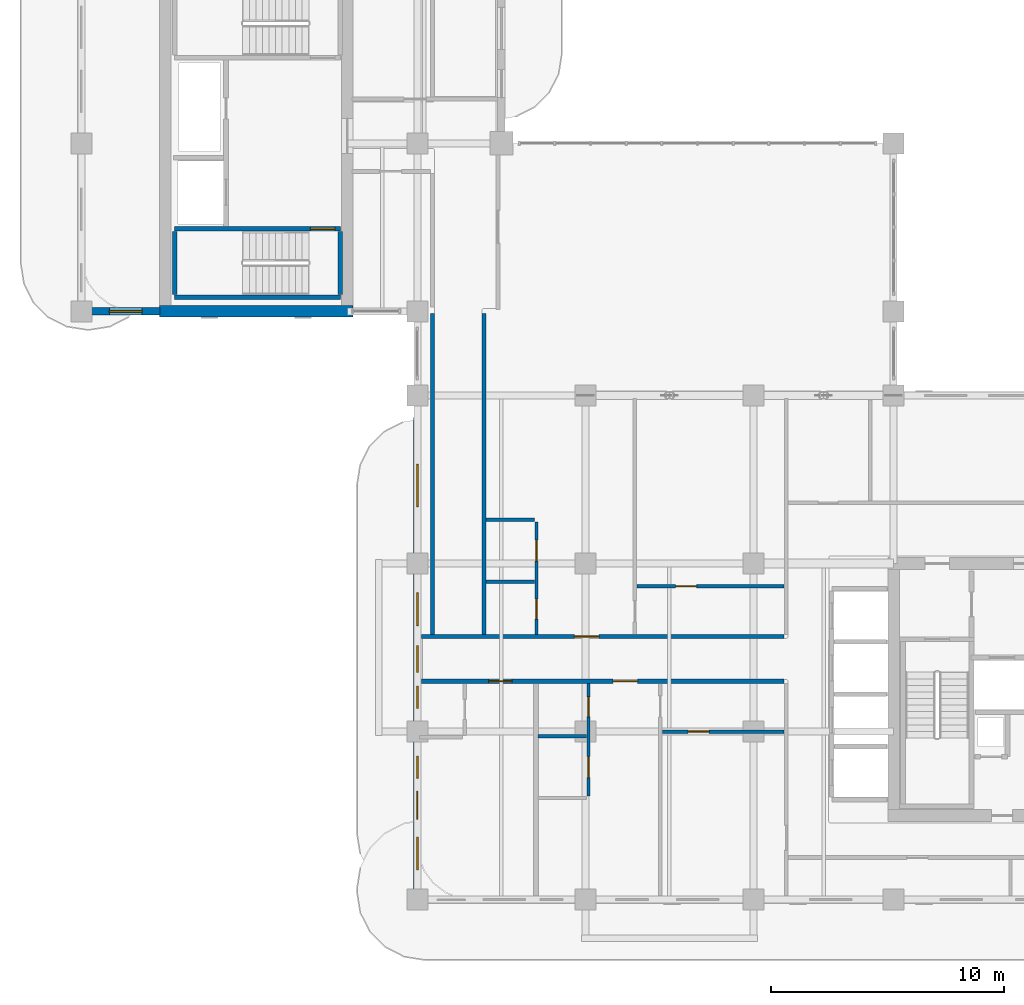
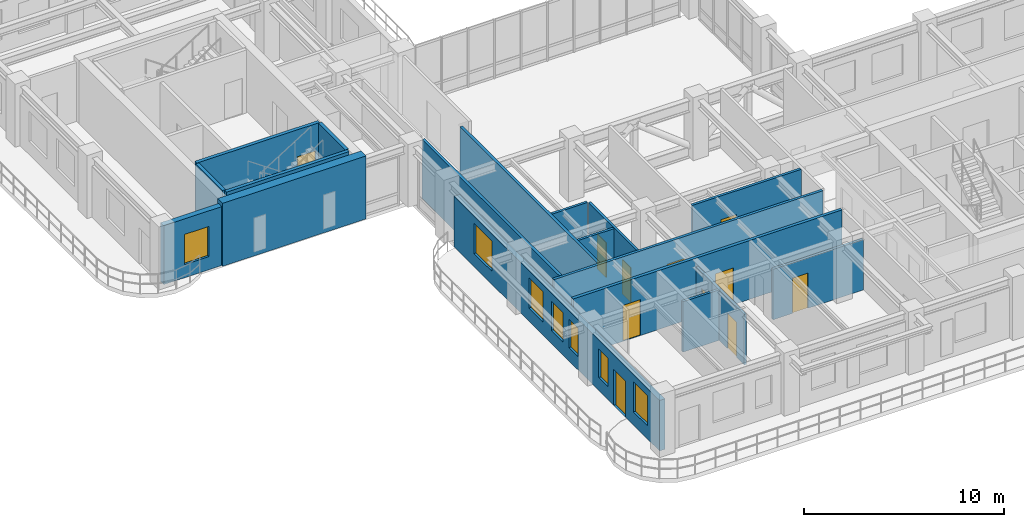
# One storey, part 10 of 19: 18 walls, 11 doors, 7 windows, 18 openings.
"""IFC4 building model written with IfcOpenShell, lengths in metres."""

from ifc_helpers import new_model, si_unit, derived_unit, direction, frame, frame_2d, origin, place, context, subcontext, project, spatial, rectangle, extrude, source, transform, mapped, material, layer, layer_set, type_object, type_shapes, element, fill, save


model = new_model("IFC4")

# Units and contexts
model_context = context("Model", 3, precision=1e-05, world=origin(), true_north=direction((0.0, 1.0)))
body_context = subcontext(model_context, "Body", "Model", "MODEL_VIEW")
ifc_project = project(units=[si_unit("LENGTHUNIT", "METRE"), si_unit("AREAUNIT", "SQUARE_METRE"), si_unit("VOLUMEUNIT", "CUBIC_METRE"), si_unit("PLANEANGLEUNIT", "RADIAN"), si_unit("MASSUNIT", "GRAM", prefix="KILO"), si_unit("THERMODYNAMICTEMPERATUREUNIT", "KELVIN"), si_unit("POWERUNIT", "WATT"), derived_unit("THERMALTRANSMITTANCEUNIT", [(si_unit("POWERUNIT", "WATT"), 1), (si_unit("AREAUNIT", "SQUARE_METRE"), -1), (si_unit("THERMODYNAMICTEMPERATUREUNIT", "KELVIN"), -1)])], contexts=[model_context])

# Site, building, storey
site_placement = place(None, origin())
site = spatial("IfcSite", under=ifc_project, at=site_placement, CompositionType="ELEMENT")
building_placement = place(site_placement, origin())
building = spatial("IfcBuilding", under=site, at=building_placement, Name="Zahravan Archway Hotel and Residences", CompositionType="ELEMENT")
storey_placement = place(building_placement, frame((0.0, 0.0, 201.89990234375)))
storey = spatial("IfcBuildingStorey", under=building, at=storey_placement, Name="L50", CompositionType="ELEMENT", Elevation=201.89990234375)

# Wall
ifc_material_1 = material(Name="Concrete C60/75", Category="concrete")
ifc_layer_1 = layer(ifc_material_1, 0.5, Name="Concrete C60/75", Category="concrete")
ifc_layer_set_1 = layer_set([ifc_layer_1], Name="Concrete C60/75")
wall_type_1 = type_object("IfcWallType", Name="CW-CORE-500", PredefinedType="SHEAR", material=ifc_layer_set_1)
wall_1_placement = place(storey_placement, frame((3.35009765625, 25.199951171875, 0.0), z_axis=(0.0, 0.0, 1.0), x_axis=(1.0, 0.0, 0.0)))
element("IfcWall", 1, at=wall_1_placement, inside=storey, type_object=wall_type_1, Name="L50 Core B Shear S Wall 500 mm", PredefinedType="SHEAR", context=body_context, shape_type="SweptSolid", body=[
    extrude(rectangle(XDim=8.2998046875, YDim=0.5, at=frame_2d((4.14990234375, 0.0))), origin(), (0.0, 0.0, 1.0), 3.85009765625),
])

# Wall, openings, door, windows
ifc_material_2 = material(Name="Agra Buff Sandstone & Insulated Backup", Category="masonry")
ifc_layer_2 = layer(ifc_material_2, 0.320068359375, Name="Agra Buff Sandstone & Insulated Backup", Category="masonry")
ifc_layer_set_2 = layer_set([ifc_layer_2], Name="Agra Buff Sandstone & Insulated Backup")
wall_type_2 = type_object("IfcWallType", Name="EW-SAND-320", PredefinedType="SOLIDWALL", material=ifc_layer_set_2)
wall_2_placement = place(storey_placement, frame((14.39990234375, 0.050048828125, 0.0), z_axis=(0.0, 0.0, 1.0), x_axis=(0.0, 1.0, 0.0)))
wall_2 = element("IfcWall", 2, at=wall_2_placement, inside=storey, type_object=wall_type_2, Name="L50 Exterior Sandstone Wall WA-WL", PredefinedType="SOLIDWALL", context=body_context, shape_type="SweptSolid", body=[
    extrude(rectangle(XDim=20.599853515625, YDim=0.320068359375, at=frame_2d((10.2998046875, 0.0))), origin(), (0.0, 0.0, 1.0), 3.085205078125),
])
opening_1_placement = place(wall_2_placement, frame((3.39990234375, 0.0, 0.0)))
opening_1 = element("IfcOpeningElement", 3, at=opening_1_placement, cuts=wall_2, Name="Opening ED-BL1", PredefinedType="OPENING", context=body_context, shape_type="SweptSolid", body=[
    extrude(rectangle(XDim=1.199951171875, YDim=2.199951171875, at=frame_2d((0.60009765625, 1.10009765625))), frame((0.0, 0.169921875, 0.0), z_axis=(0.0, -1.0, 0.0), x_axis=(1.0, 0.0, 0.0)), (0.0, 0.0, 1.0), 0.340087890625),
])
opening_2_placement = place(wall_2_placement, frame((1.22509765625, 0.0, 0.800048828125)))
opening_2 = element("IfcOpeningElement", 4, at=opening_2_placement, cuts=wall_2, Name="Opening W-03", PredefinedType="OPENING", context=body_context, shape_type="SweptSolid", body=[
    extrude(rectangle(XDim=1.39990234375, YDim=1.85009765625, at=frame_2d((0.699951171875, 0.925048828125))), frame((0.0, 0.169921875, 0.0), z_axis=(0.0, -1.0, 0.0), x_axis=(1.0, 0.0, 0.0)), (0.0, 0.0, 1.0), 0.340087890625),
])
opening_3_placement = place(wall_2_placement, frame((5.14990234375, 0.0, 0.800048828125)))
opening_3 = element("IfcOpeningElement", 5, at=opening_3_placement, cuts=wall_2, Name="Opening W-04", PredefinedType="OPENING", context=body_context, shape_type="SweptSolid", body=[
    extrude(rectangle(XDim=0.949951171875, YDim=1.75, at=frame_2d((0.47509765625, 0.875))), frame((0.0, 0.169921875, 0.0), z_axis=(0.0, -1.0, 0.0), x_axis=(1.0, 0.0, 0.0)), (0.0, 0.0, 1.0), 0.340087890625),
])
opening_4_placement = place(wall_2_placement, frame((8.14599609375, 0.0, 0.800048828125)))
opening_4 = element("IfcOpeningElement", 6, at=opening_4_placement, cuts=wall_2, Name="Opening W-04", PredefinedType="OPENING", context=body_context, shape_type="SweptSolid", body=[
    extrude(rectangle(XDim=0.949951171875, YDim=1.75, at=frame_2d((0.47509765625, 0.875))), frame((0.0, 0.169921875, 0.0), z_axis=(0.0, -1.0, 0.0), x_axis=(1.0, 0.0, 0.0)), (0.0, 0.0, 1.0), 0.340087890625),
])
opening_5_placement = place(wall_2_placement, frame((9.68505859375, 0.0, 0.800048828125)))
opening_5 = element("IfcOpeningElement", 7, at=opening_5_placement, cuts=wall_2, Name="Opening W-05", PredefinedType="OPENING", context=body_context, shape_type="SweptSolid", body=[
    extrude(rectangle(XDim=1.14990234375, YDim=1.800048828125, at=frame_2d((0.574951171875, 0.89990234375))), frame((0.0, 0.169921875, 0.0), z_axis=(0.0, -1.0, 0.0), x_axis=(1.0, 0.0, 0.0)), (0.0, 0.0, 1.0), 0.340087890625),
])
opening_6_placement = place(wall_2_placement, frame((11.68896484375, 0.0, 0.800048828125)))
opening_6 = element("IfcOpeningElement", 8, at=opening_6_placement, cuts=wall_2, Name="Opening W-03", PredefinedType="OPENING", context=body_context, shape_type="SweptSolid", body=[
    extrude(rectangle(XDim=1.39990234375, YDim=1.85009765625, at=frame_2d((0.699951171875, 0.925048828125))), frame((0.0, 0.169921875, 0.0), z_axis=(0.0, -1.0, 0.0), x_axis=(1.0, 0.0, 0.0)), (0.0, 0.0, 1.0), 0.340087890625),
])
opening_7_placement = place(wall_2_placement, frame((16.7900390625, 0.0, 0.800048828125)))
opening_7 = element("IfcOpeningElement", 9, at=opening_7_placement, cuts=wall_2, Name="Opening W-02", PredefinedType="OPENING", context=body_context, shape_type="SweptSolid", body=[
    extrude(rectangle(XDim=1.800048828125, YDim=1.85009765625, at=frame_2d((0.89990234375, 0.925048828125))), frame((0.0, 0.169921875, 0.0), z_axis=(0.0, -1.0, 0.0), x_axis=(1.0, 0.0, 0.0)), (0.0, 0.0, 1.0), 0.340087890625),
])
ifc_material_3 = material(Name="Bronze-Anodized Glazed Aluminium", Category="aluminium")
door_type_1 = type_object("IfcDoorType", Name="ED-BALC-1200", OperationType="SLIDING_TO_LEFT", PredefinedType="DOOR", material=ifc_material_3)
shared_shape_1 = source(origin(), body_context, "Body", "SweptSolid", [
    extrude(rectangle(XDim=1.199951171875, YDim=2.199951171875, at=frame_2d((0.60009765625, 1.10009765625))), frame((0.0, 0.02490234375, 0.0), z_axis=(0.0, -1.0, 0.0), x_axis=(1.0, 0.0, 0.0)), (0.0, 0.0, 1.0), 0.050048828125),
])
type_shapes(door_type_1, [shared_shape_1])
door_1_placement = place(opening_1_placement, origin())
door_1 = element("IfcDoor", 10, at=door_1_placement, inside=storey, type_object=door_type_1, Name="L50 Outdoor Access Sliding Door (SLB-BAL-L50-WA)", OperationType="SLIDING_TO_LEFT", OverallHeight=2.199951171875, OverallWidth=1.199951171875, PredefinedType="DOOR", context=body_context, shape_type="MappedRepresentation", body=[
    mapped(shared_shape_1, transform((0.0, 0.0, 0.0), scale=1.0)),
])
fill(opening_1, door_1)
ifc_material_4 = material(Name="Bronze-Anodized Thermal-Break Aluminium & Low-E Glass", Category="aluminium")
window_type_1 = type_object("IfcWindowType", Name="WIN-TWR-1400", PartitioningType="SINGLE_PANEL", PredefinedType="WINDOW", material=ifc_material_4)
shared_shape_2 = source(origin(), body_context, "Body", "SweptSolid", [
    extrude(rectangle(XDim=1.39990234375, YDim=1.85009765625, at=frame_2d((0.699951171875, 0.925048828125))), frame((0.0, 0.030029296875, 0.0), z_axis=(0.0, -1.0, 0.0), x_axis=(1.0, 0.0, 0.0)), (0.0, 0.0, 1.0), 0.06005859375),
])
type_shapes(window_type_1, [shared_shape_2])
window_1_placement = place(opening_2_placement, origin())
window_1 = element("IfcWindow", 11, at=window_1_placement, inside=storey, type_object=window_type_1, Name="L50 Loggia Window 15", OverallHeight=1.85009765625, OverallWidth=1.39990234375, PartitioningType="SINGLE_PANEL", PredefinedType="WINDOW", context=body_context, shape_type="MappedRepresentation", body=[
    mapped(shared_shape_2, transform((0.0, 0.0, 0.0), scale=1.0)),
])
fill(opening_2, window_1)
window_2_placement = place(opening_6_placement, origin())
window_2 = element("IfcWindow", 12, at=window_2_placement, inside=storey, type_object=window_type_1, Name="L50 Loggia Window 19", OverallHeight=1.85009765625, OverallWidth=1.39990234375, PartitioningType="SINGLE_PANEL", PredefinedType="WINDOW", context=body_context, shape_type="MappedRepresentation", body=[
    mapped(shared_shape_2, transform((0.0, 0.0, 0.0), scale=1.0)),
])
fill(opening_6, window_2)
window_type_2 = type_object("IfcWindowType", Name="WIN-NAR-950", PartitioningType="SINGLE_PANEL", PredefinedType="WINDOW", material=ifc_material_4)
shared_shape_3 = source(origin(), body_context, "Body", "SweptSolid", [
    extrude(rectangle(XDim=0.949951171875, YDim=1.75, at=frame_2d((0.47509765625, 0.875))), frame((0.0, 0.030029296875, 0.0), z_axis=(0.0, -1.0, 0.0), x_axis=(1.0, 0.0, 0.0)), (0.0, 0.0, 1.0), 0.06005859375),
])
type_shapes(window_type_2, [shared_shape_3])
window_3_placement = place(opening_3_placement, origin())
window_3 = element("IfcWindow", 13, at=window_3_placement, inside=storey, type_object=window_type_2, Name="L50 Loggia Window 16", OverallHeight=1.75, OverallWidth=0.949951171875, PartitioningType="SINGLE_PANEL", PredefinedType="WINDOW", context=body_context, shape_type="MappedRepresentation", body=[
    mapped(shared_shape_3, transform((0.0, 0.0, 0.0), scale=1.0)),
])
fill(opening_3, window_3)
window_4_placement = place(opening_4_placement, origin())
window_4 = element("IfcWindow", 14, at=window_4_placement, inside=storey, type_object=window_type_2, Name="L50 Loggia Window 17", OverallHeight=1.75, OverallWidth=0.949951171875, PartitioningType="SINGLE_PANEL", PredefinedType="WINDOW", context=body_context, shape_type="MappedRepresentation", body=[
    mapped(shared_shape_3, transform((0.0, 0.0, 0.0), scale=1.0)),
])
fill(opening_4, window_4)
window_type_3 = type_object("IfcWindowType", Name="WIN-TWR-1800", PartitioningType="DOUBLE_PANEL_VERTICAL", PredefinedType="WINDOW", material=ifc_material_4)
shared_shape_4 = source(origin(), body_context, "Body", "SweptSolid", [
    extrude(rectangle(XDim=1.800048828125, YDim=1.85009765625, at=frame_2d((0.89990234375, 0.925048828125))), frame((0.0, 0.030029296875, 0.0), z_axis=(0.0, -1.0, 0.0), x_axis=(1.0, 0.0, 0.0)), (0.0, 0.0, 1.0), 0.06005859375),
])
type_shapes(window_type_3, [shared_shape_4])
window_5_placement = place(opening_7_placement, origin())
window_5 = element("IfcWindow", 15, at=window_5_placement, inside=storey, type_object=window_type_3, Name="L50 Loggia Window 20", OverallHeight=1.85009765625, OverallWidth=1.800048828125, PartitioningType="DOUBLE_PANEL_VERTICAL", PredefinedType="WINDOW", context=body_context, shape_type="MappedRepresentation", body=[
    mapped(shared_shape_4, transform((0.0, 0.0, 0.0), scale=1.0)),
])
fill(opening_7, window_5)
window_type_4 = type_object("IfcWindowType", Name="WIN-TWR-1150", PartitioningType="SINGLE_PANEL", PredefinedType="WINDOW", material=ifc_material_4)
shared_shape_5 = source(origin(), body_context, "Body", "SweptSolid", [
    extrude(rectangle(XDim=1.14990234375, YDim=1.800048828125, at=frame_2d((0.574951171875, 0.89990234375))), frame((0.0, 0.030029296875, 0.0), z_axis=(0.0, -1.0, 0.0), x_axis=(1.0, 0.0, 0.0)), (0.0, 0.0, 1.0), 0.06005859375),
])
type_shapes(window_type_4, [shared_shape_5])
window_6_placement = place(opening_5_placement, origin())
window_6 = element("IfcWindow", 16, at=window_6_placement, inside=storey, type_object=window_type_4, Name="L50 Loggia Window 18", OverallHeight=1.800048828125, OverallWidth=1.14990234375, PartitioningType="SINGLE_PANEL", PredefinedType="WINDOW", context=body_context, shape_type="MappedRepresentation", body=[
    mapped(shared_shape_5, transform((0.0, 0.0, 0.0), scale=1.0)),
])
fill(opening_5, window_6)

# Wall, opening, window
wall_3_placement = place(storey_placement, frame((0.0, 25.199951171875, 0.0), z_axis=(0.0, 0.0, 1.0), x_axis=(1.0, 0.0, 0.0)))
wall_3 = element("IfcWall", 17, at=wall_3_placement, inside=storey, type_object=wall_type_2, Name="L50 Exterior Sandstone Wall WB-SW", PredefinedType="SOLIDWALL", context=body_context, shape_type="SweptSolid", body=[
    extrude(rectangle(XDim=3.3798828125, YDim=0.320068359375, at=frame_2d((1.68994140625, 0.0))), origin(), (0.0, 0.0, 1.0), 3.60009765625),
])
opening_8_placement = place(wall_3_placement, frame((1.205078125, 0.0, 0.800048828125)))
opening_8 = element("IfcOpeningElement", 18, at=opening_8_placement, cuts=wall_3, Name="Opening W-03", PredefinedType="OPENING", context=body_context, shape_type="SweptSolid", body=[
    extrude(rectangle(XDim=1.39990234375, YDim=1.85009765625, at=frame_2d((0.699951171875, 0.925048828125))), frame((0.0, 0.169921875, 0.0), z_axis=(0.0, -1.0, 0.0), x_axis=(1.0, 0.0, 0.0)), (0.0, 0.0, 1.0), 0.340087890625),
])
window_7_placement = place(opening_8_placement, origin())
window_7 = element("IfcWindow", 19, at=window_7_placement, inside=storey, type_object=window_type_1, Name="L50 Loggia Window 21", OverallHeight=1.85009765625, OverallWidth=1.39990234375, PartitioningType="SINGLE_PANEL", PredefinedType="WINDOW", context=body_context, shape_type="MappedRepresentation", body=[
    mapped(shared_shape_2, transform((0.0, 0.0, 0.0), scale=1.0)),
])
fill(opening_8, window_7)

# Wall, opening, door
ifc_material_5 = material(Name="Fire-Rated Gypsum & Concrete Block", Category="concrete")
ifc_layer_3 = layer(ifc_material_5, 0.159912109375, Name="Fire-Rated Gypsum & Concrete Block", Category="concrete")
ifc_layer_set_3 = layer_set([ifc_layer_3], Name="Fire-Rated Gypsum & Concrete Block")
wall_type_3 = type_object("IfcWallType", Name="PW-CORR-160", PredefinedType="PARTITIONING", material=ifc_layer_set_3)
wall_4_placement = place(storey_placement, frame((14.568115234375, 11.27001953125, 0.0), z_axis=(0.0, 0.0, 1.0), x_axis=(1.0, 0.0, 0.0)))
wall_4 = element("IfcWall", 20, at=wall_4_placement, inside=storey, type_object=wall_type_3, Name="L50 Partition WA-CN", PredefinedType="PARTITIONING", context=body_context, shape_type="SweptSolid", body=[
    extrude(rectangle(XDim=15.5419921875, YDim=0.159912109375, at=frame_2d((7.77099609375, 0.0))), origin(), (0.0, 0.0, 1.0), 3.60009765625),
])
opening_9_placement = place(wall_4_placement, frame((6.556884765625, 0.0, 0.0)))
opening_9 = element("IfcOpeningElement", 21, at=opening_9_placement, cuts=wall_4, Name="Opening D-U1", PredefinedType="OPENING", context=body_context, shape_type="SweptSolid", body=[
    extrude(rectangle(XDim=1.050048828125, YDim=2.25, at=frame_2d((0.52490234375, 1.125))), frame((0.0, 0.08984375, 0.0), z_axis=(0.0, -1.0, 0.0), x_axis=(1.0, 0.0, 0.0)), (0.0, 0.0, 1.0), 0.179931640625),
])
ifc_material_6 = material(Name="Hardwood Veneer Timber", Category="wood")
door_type_2 = type_object("IfcDoorType", Name="ID-UNIT-1050", OperationType="NOTDEFINED", PredefinedType="DOOR", material=ifc_material_6)
shared_shape_6 = source(origin(), body_context, "Body", "SweptSolid", [
    extrude(rectangle(XDim=1.050048828125, YDim=2.25, at=frame_2d((0.52490234375, 1.125))), frame((0.0, 0.02490234375, 0.0), z_axis=(0.0, -1.0, 0.0), x_axis=(1.0, 0.0, 0.0)), (0.0, 0.0, 1.0), 0.050048828125),
])
type_shapes(door_type_2, [shared_shape_6])
door_2_placement = place(opening_9_placement, origin())
door_2 = element("IfcDoor", 22, at=door_2_placement, inside=storey, type_object=door_type_2, Name="L50 Flat HN1 Entrance Door", OperationType="SINGLE_SWING_RIGHT", OverallHeight=2.25, OverallWidth=1.050048828125, PredefinedType="DOOR", context=body_context, shape_type="MappedRepresentation", body=[
    mapped(shared_shape_6, transform((0.0, 0.0, 0.0), scale=1.0)),
])
fill(opening_9, door_2)

# Walls
for number, where, z_axis, x_axis, name in (
    (23, (15.050048828125, 11.360107421875, 0.0), (0.0, 0.0, 1.0), (0.0, 1.0, 0.0), "L50 Partition LNK-W"),
    (24, (17.25, 11.360107421875, 0.0), (0.0, 0.0, 1.0), (0.0, 1.0, 0.0), "L50 Partition LNK-E"),
):
    element("IfcWall", number, at=place(storey_placement, frame(where, z_axis=z_axis, x_axis=x_axis)), inside=storey, type_object=wall_type_3, Name=name, PredefinedType="PARTITIONING", context=body_context, shape_type="SweptSolid", body=[
        extrude(rectangle(XDim=13.75, YDim=0.159912109375, at=frame_2d((6.875, 0.0))), origin(), (0.0, 0.0, 1.0), 3.60009765625),
    ])

# Wall, openings, doors
ifc_layer_4 = layer(ifc_material_5, 0.179931640625, Name="Fire-Rated Gypsum & Concrete Block", Category="concrete")
ifc_layer_set_4 = layer_set([ifc_layer_4], Name="Fire-Rated Gypsum & Concrete Block")
wall_type_4 = type_object("IfcWallType", Name="PW-CORR-180", PredefinedType="PARTITIONING", material=ifc_layer_set_4)
wall_5_placement = place(storey_placement, frame((14.568115234375, 9.35009765625, 0.0), z_axis=(0.0, 0.0, 1.0), x_axis=(1.0, 0.0, 0.0)))
wall_5 = element("IfcWall", 25, at=wall_5_placement, inside=storey, type_object=wall_type_4, Name="L50 Partition WA-CS", PredefinedType="PARTITIONING", context=body_context, shape_type="SweptSolid", body=[
    extrude(rectangle(XDim=15.5419921875, YDim=0.179931640625, at=frame_2d((7.77099609375, 0.0))), origin(), (0.0, 0.0, 1.0), 3.60009765625),
])
opening_10_placement = place(wall_5_placement, frame((2.887939453125, 0.0, 0.0)))
opening_10 = element("IfcOpeningElement", 26, at=opening_10_placement, cuts=wall_5, Name="Opening D-U2", PredefinedType="OPENING", context=body_context, shape_type="SweptSolid", body=[
    extrude(rectangle(XDim=1.0, YDim=2.199951171875, at=frame_2d((0.5, 1.10009765625))), frame((0.0, 0.10009765625, 0.0), z_axis=(0.0, -1.0, 0.0), x_axis=(1.0, 0.0, 0.0)), (0.0, 0.0, 1.0), 0.199951171875),
])
opening_11_placement = place(wall_5_placement, frame((8.2119140625, 0.0, 0.0)))
opening_11 = element("IfcOpeningElement", 27, at=opening_11_placement, cuts=wall_5, Name="Opening D-U1", PredefinedType="OPENING", context=body_context, shape_type="SweptSolid", body=[
    extrude(rectangle(XDim=1.050048828125, YDim=2.25, at=frame_2d((0.52490234375, 1.125))), frame((0.0, 0.10009765625, 0.0), z_axis=(0.0, -1.0, 0.0), x_axis=(1.0, 0.0, 0.0)), (0.0, 0.0, 1.0), 0.199951171875),
])
door_3_placement = place(opening_11_placement, origin())
door_3 = element("IfcDoor", 28, at=door_3_placement, inside=storey, type_object=door_type_2, Name="L50 Flat S1 Entrance Door", OperationType="SINGLE_SWING_RIGHT", OverallHeight=2.25, OverallWidth=1.050048828125, PredefinedType="DOOR", context=body_context, shape_type="MappedRepresentation", body=[
    mapped(shared_shape_6, transform((0.0, 0.0, 0.0), scale=1.0)),
])
fill(opening_11, door_3)
door_type_3 = type_object("IfcDoorType", Name="ID-UNIT-1000", OperationType="NOTDEFINED", PredefinedType="DOOR", material=ifc_material_6)
shared_shape_7 = source(origin(), body_context, "Body", "SweptSolid", [
    extrude(rectangle(XDim=1.0, YDim=2.199951171875, at=frame_2d((0.5, 1.10009765625))), frame((0.0, 0.02490234375, 0.0), z_axis=(0.0, -1.0, 0.0), x_axis=(1.0, 0.0, 0.0)), (0.0, 0.0, 1.0), 0.050048828125),
])
type_shapes(door_type_3, [shared_shape_7])
door_4_placement = place(opening_10_placement, origin())
door_4 = element("IfcDoor", 29, at=door_4_placement, inside=storey, type_object=door_type_3, Name="L50 Hotel Guestroom 91 Entrance Door", OperationType="SINGLE_SWING_LEFT", OverallHeight=2.199951171875, OverallWidth=1.0, PredefinedType="DOOR", context=body_context, shape_type="MappedRepresentation", body=[
    mapped(shared_shape_7, transform((0.0, 0.0, 0.0), scale=1.0)),
])
fill(opening_10, door_4)

# Wall, opening, door
ifc_material_7 = material(Name="Acoustic Stud Partition")
ifc_layer_5 = layer(ifc_material_7, 0.14990234375, Name="Acoustic Stud Partition")
ifc_layer_set_5 = layer_set([ifc_layer_5], Name="Acoustic Stud Partition")
wall_type_5 = type_object("IfcWallType", Name="PW-UNIT-150", PredefinedType="PARTITIONING", material=ifc_layer_set_5)
wall_6_placement = place(storey_placement, frame((24.889892578125, 7.199951171875, 0.0), z_axis=(0.0, 0.0, 1.0), x_axis=(1.0, 0.0, 0.0)))
wall_6 = element("IfcWall", 30, at=wall_6_placement, inside=storey, type_object=wall_type_5, Name="L50 Partition FL-S1-GH", PredefinedType="PARTITIONING", context=body_context, shape_type="SweptSolid", body=[
    extrude(rectangle(XDim=5.22021484375, YDim=0.14990234375, at=frame_2d((2.610107421875, 0.0))), origin(), (0.0, 0.0, 1.0), 3.085205078125),
])
opening_12_placement = place(wall_6_placement, frame((1.110107421875, 0.0, 0.0)))
opening_12 = element("IfcOpeningElement", 31, at=opening_12_placement, cuts=wall_6, Name="Opening D-I2", PredefinedType="OPENING", context=body_context, shape_type="SweptSolid", body=[
    extrude(rectangle(XDim=0.89990234375, YDim=2.14990234375, at=frame_2d((0.449951171875, 1.074951171875))), frame((0.0, 0.0849609375, 0.0), z_axis=(0.0, -1.0, 0.0), x_axis=(1.0, 0.0, 0.0)), (0.0, 0.0, 1.0), 0.169921875),
])
door_type_4 = type_object("IfcDoorType", Name="ID-INT-900", OperationType="NOTDEFINED", PredefinedType="DOOR", material=ifc_material_6)
shared_shape_8 = source(origin(), body_context, "Body", "SweptSolid", [
    extrude(rectangle(XDim=0.89990234375, YDim=2.14990234375, at=frame_2d((0.449951171875, 1.074951171875))), frame((0.0, 0.02490234375, 0.0), z_axis=(0.0, -1.0, 0.0), x_axis=(1.0, 0.0, 0.0)), (0.0, 0.0, 1.0), 0.050048828125),
])
type_shapes(door_type_4, [shared_shape_8])
door_5_placement = place(opening_12_placement, origin())
door_5 = element("IfcDoor", 32, at=door_5_placement, inside=storey, type_object=door_type_4, Name="L50 Flat S1 Bedroom 1 Door", OperationType="SINGLE_SWING_RIGHT", OverallHeight=2.14990234375, OverallWidth=0.89990234375, PredefinedType="DOOR", context=body_context, shape_type="MappedRepresentation", body=[
    mapped(shared_shape_8, transform((0.0, 0.0, 0.0), scale=1.0)),
])
fill(opening_12, door_5)

wall_7_placement = place(storey_placement, frame((23.81005859375, 13.419921875, 0.0), z_axis=(0.0, 0.0, 1.0), x_axis=(1.0, 0.0, 0.0)))
wall_7 = element("IfcWall", 33, at=wall_7_placement, inside=storey, type_object=wall_type_5, Name="L50 Partition FL-HN1-GH", PredefinedType="PARTITIONING", context=body_context, shape_type="SweptSolid", body=[
    extrude(rectangle(XDim=6.300048828125, YDim=0.14990234375, at=frame_2d((3.14990234375, 0.0))), origin(), (0.0, 0.0, 1.0), 3.60009765625),
])
opening_13_placement = place(wall_7_placement, frame((1.64990234375, 0.0, 0.0)))
opening_13 = element("IfcOpeningElement", 34, at=opening_13_placement, cuts=wall_7, Name="Opening D-I2", PredefinedType="OPENING", context=body_context, shape_type="SweptSolid", body=[
    extrude(rectangle(XDim=0.89990234375, YDim=2.14990234375, at=frame_2d((0.449951171875, 1.074951171875))), frame((0.0, 0.0849609375, 0.0), z_axis=(0.0, -1.0, 0.0), x_axis=(1.0, 0.0, 0.0)), (0.0, 0.0, 1.0), 0.169921875),
])
door_6_placement = place(opening_13_placement, origin())
door_6 = element("IfcDoor", 35, at=door_6_placement, inside=storey, type_object=door_type_4, Name="L50 Flat HN1 Bedroom 1 Door", OperationType="SINGLE_SWING_RIGHT", OverallHeight=2.14990234375, OverallWidth=0.89990234375, PredefinedType="DOOR", context=body_context, shape_type="MappedRepresentation", body=[
    mapped(shared_shape_8, transform((0.0, 0.0, 0.0), scale=1.0)),
])
fill(opening_13, door_6)

# Wall, openings, doors
ifc_material_8 = material(Name="Moisture-Resistant Blockwork", Category="masonry")
ifc_layer_6 = layer(ifc_material_8, 0.139892578125, Name="Moisture-Resistant Blockwork", Category="masonry")
ifc_layer_set_6 = layer_set([ifc_layer_6], Name="Moisture-Resistant Blockwork")
wall_type_6 = type_object("IfcWallType", Name="PW-WET-140", PredefinedType="PARTITIONING", material=ifc_layer_set_6)
wall_8_placement = place(storey_placement, frame((21.72998046875, 4.43994140625, 0.0), z_axis=(0.0, 0.0, 1.0), x_axis=(0.0, 1.0, 0.0)))
wall_8 = element("IfcWall", 36, at=wall_8_placement, inside=storey, type_object=wall_type_6, Name="L50 Partition FL-S1-BV", PredefinedType="PARTITIONING", context=body_context, shape_type="SweptSolid", body=[
    extrude(rectangle(XDim=4.820068359375, YDim=0.139892578125, at=frame_2d((2.41015625, 0.0))), origin(), (0.0, 0.0, 1.0), 3.085205078125),
])
opening_14_placement = place(wall_8_placement, frame((0.784912109375, 0.0, 0.0)))
opening_14 = element("IfcOpeningElement", 37, at=opening_14_placement, cuts=wall_8, Name="Opening D-I2", PredefinedType="OPENING", context=body_context, shape_type="SweptSolid", body=[
    extrude(rectangle(XDim=0.89990234375, YDim=2.14990234375, at=frame_2d((0.449951171875, 1.074951171875))), frame((0.0, 0.080078125, 0.0), z_axis=(0.0, -1.0, 0.0), x_axis=(1.0, 0.0, 0.0)), (0.0, 0.0, 1.0), 0.159912109375),
])
opening_15_placement = place(wall_8_placement, frame((3.393798828125, 0.0, 0.0)))
opening_15 = element("IfcOpeningElement", 38, at=opening_15_placement, cuts=wall_8, Name="Opening D-B1", PredefinedType="OPENING", context=body_context, shape_type="SweptSolid", body=[
    extrude(rectangle(XDim=0.85009765625, YDim=2.10009765625, at=frame_2d((0.425048828125, 1.050048828125))), frame((0.0, 0.080078125, 0.0), z_axis=(0.0, -1.0, 0.0), x_axis=(1.0, 0.0, 0.0)), (0.0, 0.0, 1.0), 0.159912109375),
])
door_type_5 = type_object("IfcDoorType", Name="ID-BATH-850", OperationType="NOTDEFINED", PredefinedType="DOOR", material=ifc_material_6)
shared_shape_9 = source(origin(), body_context, "Body", "SweptSolid", [
    extrude(rectangle(XDim=0.85009765625, YDim=2.10009765625, at=frame_2d((0.425048828125, 1.050048828125))), frame((0.0, 0.02490234375, 0.0), z_axis=(0.0, -1.0, 0.0), x_axis=(1.0, 0.0, 0.0)), (0.0, 0.0, 1.0), 0.050048828125),
])
type_shapes(door_type_5, [shared_shape_9])
door_7_placement = place(opening_15_placement, origin())
door_7 = element("IfcDoor", 39, at=door_7_placement, inside=storey, type_object=door_type_5, Name="L50 Flat S1 Bathroom Door", OperationType="SINGLE_SWING_RIGHT", OverallHeight=2.10009765625, OverallWidth=0.85009765625, PredefinedType="DOOR", context=body_context, shape_type="MappedRepresentation", body=[
    mapped(shared_shape_9, transform((0.0, 0.0, 0.0), scale=1.0)),
])
fill(opening_15, door_7)
door_8_placement = place(opening_14_placement, origin())
door_8 = element("IfcDoor", 40, at=door_8_placement, inside=storey, type_object=door_type_4, Name="L50 Flat S1 Kitchen Door", OperationType="SINGLE_SWING_LEFT", OverallHeight=2.14990234375, OverallWidth=0.89990234375, PredefinedType="DOOR", context=body_context, shape_type="MappedRepresentation", body=[
    mapped(shared_shape_8, transform((0.0, 0.0, 0.0), scale=1.0)),
])
fill(opening_14, door_8)

# Wall
wall_9_placement = place(storey_placement, frame((19.570068359375, 7.0, 0.0), z_axis=(0.0, 0.0, 1.0), x_axis=(1.0, 0.0, 0.0)))
element("IfcWall", 41, at=wall_9_placement, inside=storey, type_object=wall_type_6, Name="L50 Partition FL-S1-BM", PredefinedType="PARTITIONING", context=body_context, shape_type="SweptSolid", body=[
    extrude(rectangle(XDim=2.06982421875, YDim=0.139892578125, at=frame_2d((1.034912109375, 0.0))), origin(), (0.0, 0.0, 1.0), 3.085205078125),
])

# Wall, openings, doors
wall_10_placement = place(storey_placement, frame((19.5, 11.360107421875, 0.0), z_axis=(0.0, 0.0, 1.0), x_axis=(0.0, 1.0, 0.0)))
wall_10 = element("IfcWall", 42, at=wall_10_placement, inside=storey, type_object=wall_type_6, Name="L50 Partition FL-HN1-BV", PredefinedType="PARTITIONING", context=body_context, shape_type="SweptSolid", body=[
    extrude(rectangle(XDim=4.81982421875, YDim=0.139892578125, at=frame_2d((2.409912109375, 0.0))), origin(), (0.0, 0.0, 1.0), 3.60009765625),
])
opening_16_placement = place(wall_10_placement, frame((0.659912109375, 0.0, 0.0)))
opening_16 = element("IfcOpeningElement", 43, at=opening_16_placement, cuts=wall_10, Name="Opening D-B1", PredefinedType="OPENING", context=body_context, shape_type="SweptSolid", body=[
    extrude(rectangle(XDim=0.85009765625, YDim=2.10009765625, at=frame_2d((0.425048828125, 1.050048828125))), frame((0.0, 0.080078125, 0.0), z_axis=(0.0, -1.0, 0.0), x_axis=(1.0, 0.0, 0.0)), (0.0, 0.0, 1.0), 0.159912109375),
])
opening_17_placement = place(wall_10_placement, frame((3.135009765625, 0.0, 0.0)))
opening_17 = element("IfcOpeningElement", 44, at=opening_17_placement, cuts=wall_10, Name="Opening D-I2", PredefinedType="OPENING", context=body_context, shape_type="SweptSolid", body=[
    extrude(rectangle(XDim=0.89990234375, YDim=2.14990234375, at=frame_2d((0.449951171875, 1.074951171875))), frame((0.0, 0.080078125, 0.0), z_axis=(0.0, -1.0, 0.0), x_axis=(1.0, 0.0, 0.0)), (0.0, 0.0, 1.0), 0.159912109375),
])
door_9_placement = place(opening_16_placement, origin())
door_9 = element("IfcDoor", 45, at=door_9_placement, inside=storey, type_object=door_type_5, Name="L50 Flat HN1 Bathroom Door", OperationType="SINGLE_SWING_RIGHT", OverallHeight=2.10009765625, OverallWidth=0.85009765625, PredefinedType="DOOR", context=body_context, shape_type="MappedRepresentation", body=[
    mapped(shared_shape_9, transform((0.0, 0.0, 0.0), scale=1.0)),
])
fill(opening_16, door_9)
door_10_placement = place(opening_17_placement, origin())
door_10 = element("IfcDoor", 46, at=door_10_placement, inside=storey, type_object=door_type_4, Name="L50 Flat HN1 Kitchen Door", OperationType="SINGLE_SWING_LEFT", OverallHeight=2.14990234375, OverallWidth=0.89990234375, PredefinedType="DOOR", context=body_context, shape_type="MappedRepresentation", body=[
    mapped(shared_shape_8, transform((0.0, 0.0, 0.0), scale=1.0)),
])
fill(opening_17, door_10)

# Walls
for number, where, z_axis, x_axis, name in (
    (47, (17.340087890625, 13.6201171875, 0.0), (0.0, 0.0, 1.0), (1.0, 0.0, 0.0), "L50 Partition FL-HN1-BM"),
    (48, (17.340087890625, 16.27001953125, 0.0), (0.0, 0.0, 1.0), (1.0, 0.0, 0.0), "L50 Partition FL-HN1-KH"),
):
    element("IfcWall", number, at=place(storey_placement, frame(where, z_axis=z_axis, x_axis=x_axis)), inside=storey, type_object=wall_type_6, Name=name, PredefinedType="PARTITIONING", context=body_context, shape_type="SweptSolid", body=[
        extrude(rectangle(XDim=2.06982421875, YDim=0.139892578125, at=frame_2d((1.034912109375, 0.0))), origin(), (0.0, 0.0, 1.0), 3.60009765625),
    ])
ifc_material_9 = material(Name="Concrete C50/60", Category="concrete")
ifc_layer_7 = layer(ifc_material_9, 0.199951171875, Name="Concrete C50/60", Category="concrete")
ifc_layer_set_7 = layer_set([ifc_layer_7], Name="Concrete C50/60")
wall_type_7 = type_object("IfcWallType", Name="SW-STAIR-200", PredefinedType="SHEAR", material=ifc_layer_set_7)
wall_11_placement = place(storey_placement, frame((4.0, 25.800048828125, 0.0), z_axis=(0.0, 0.0, 1.0), x_axis=(1.0, 0.0, 0.0)))
element("IfcWall", 49, at=wall_11_placement, inside=storey, type_object=wall_type_7, Name="L50 Stairwell RC Wall CB-SB1S", PredefinedType="SHEAR", context=body_context, shape_type="SweptSolid", body=[
    extrude(rectangle(XDim=7.10009765625, YDim=0.199951171875, at=frame_2d((3.550048828125, 0.0))), origin(), (0.0, 0.0, 1.0), 3.85009765625),
])
for number, where, z_axis, x_axis, name in (
    (50, (4.0, 25.919921875, 0.0), (0.0, 0.0, 1.0), (0.0, 1.0, 0.0), "L50 Stairwell RC Wall CB-SB1W"),
    (51, (11.10009765625, 25.919921875, 0.0), (0.0, 0.0, 1.0), (0.0, 1.0, 0.0), "L50 Stairwell RC Wall CB-SB1E"),
):
    element("IfcWall", number, at=place(storey_placement, frame(where, z_axis=z_axis, x_axis=x_axis)), inside=storey, type_object=wall_type_7, Name=name, PredefinedType="SHEAR", context=body_context, shape_type="SweptSolid", body=[
        extrude(rectangle(XDim=2.7001953125, YDim=0.199951171875, at=frame_2d((1.35009765625, 0.0))), origin(), (0.0, 0.0, 1.0), 3.85009765625),
    ])

# Wall, opening, door
wall_12_placement = place(storey_placement, frame((4.0, 28.739990234375, 0.0), z_axis=(0.0, 0.0, 1.0), x_axis=(1.0, 0.0, 0.0)))
wall_12 = element("IfcWall", 52, at=wall_12_placement, inside=storey, type_object=wall_type_7, Name="L50 Stairwell RC Wall CB-SB1N", PredefinedType="SHEAR", context=body_context, shape_type="SweptSolid", body=[
    extrude(rectangle(XDim=7.10009765625, YDim=0.199951171875, at=frame_2d((3.550048828125, 0.0))), origin(), (0.0, 0.0, 1.0), 3.85009765625),
])
opening_18_placement = place(wall_12_placement, frame((5.81494140625, 0.0, 0.0)))
opening_18 = element("IfcOpeningElement", 53, at=opening_18_placement, cuts=wall_12, Name="Opening FD-S1", PredefinedType="OPENING", context=body_context, shape_type="SweptSolid", body=[
    extrude(rectangle(XDim=1.050048828125, YDim=2.199951171875, at=frame_2d((0.52490234375, 1.10009765625))), frame((0.0, 0.10986328125, 0.0), z_axis=(0.0, -1.0, 0.0), x_axis=(1.0, 0.0, 0.0)), (0.0, 0.0, 1.0), 0.219970703125),
])
ifc_material_10 = material(Name="Fire-Rated Painted Steel", Category="steel")
door_type_6 = type_object("IfcDoorType", Name="FD-STAIR-1100", OperationType="NOTDEFINED", PredefinedType="DOOR", material=ifc_material_10)
shared_shape_10 = source(origin(), body_context, "Body", "SweptSolid", [
    extrude(rectangle(XDim=1.050048828125, YDim=2.199951171875, at=frame_2d((0.52490234375, 1.10009765625))), frame((0.0, 0.02490234375, 0.0), z_axis=(0.0, -1.0, 0.0), x_axis=(1.0, 0.0, 0.0)), (0.0, 0.0, 1.0), 0.050048828125),
])
type_shapes(door_type_6, [shared_shape_10])
door_11_placement = place(opening_18_placement, origin())
door_11 = element("IfcDoor", 54, at=door_11_placement, inside=storey, type_object=door_type_6, Name="L50 Stair ST-B1 Door", OperationType="SINGLE_SWING_LEFT", OverallHeight=2.199951171875, OverallWidth=1.050048828125, PredefinedType="DOOR", context=body_context, shape_type="MappedRepresentation", body=[
    mapped(shared_shape_10, transform((0.0, 0.0, 0.0), scale=1.0)),
])
fill(opening_18, door_11)

save(model, "model.ifc")
